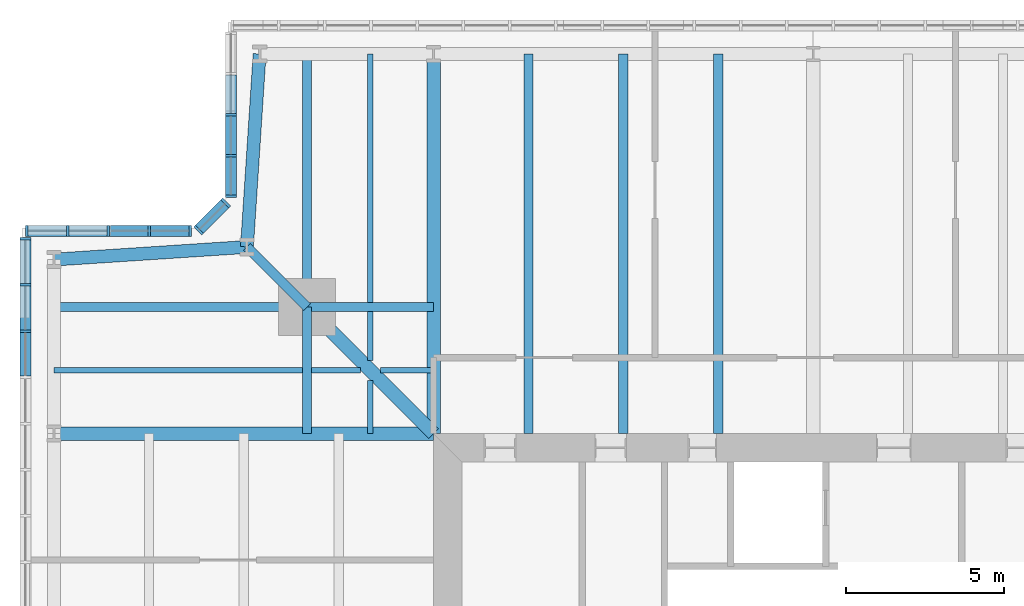
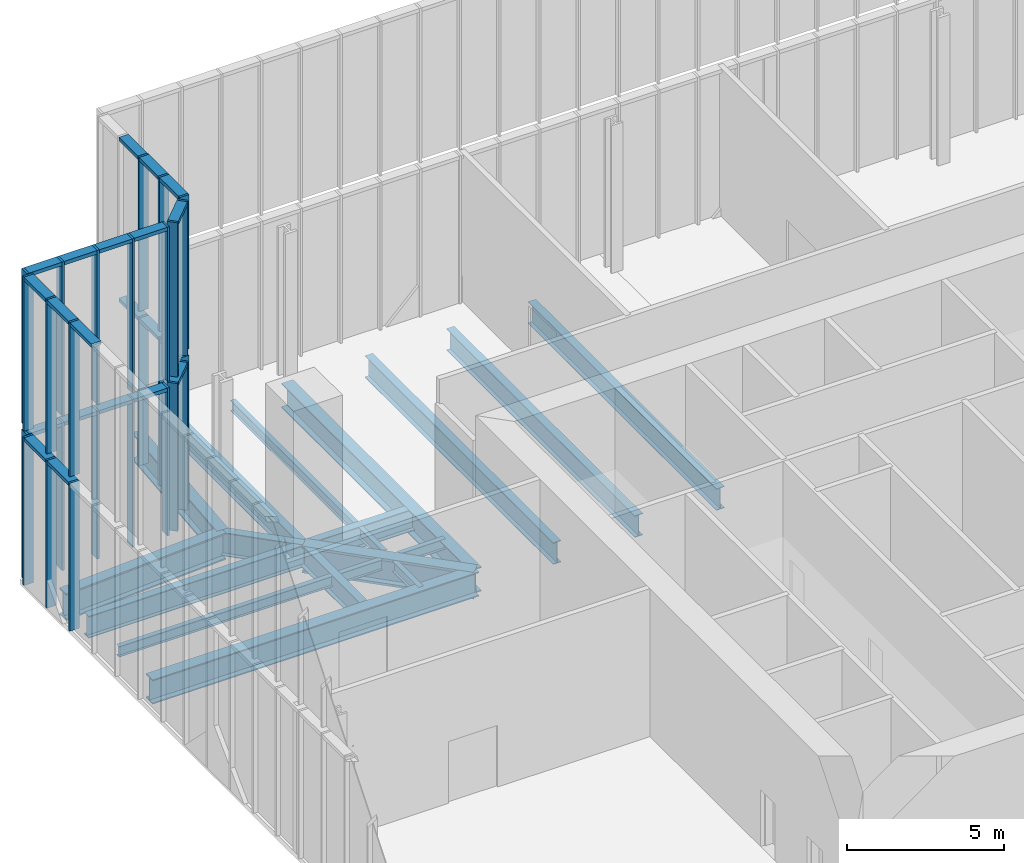
# One storey, part 8 of 25: 47 members, 19 beams, 8 elements without a shape of their own.
"""IFC4 building model written with IfcOpenShell, lengths in metres."""

import ifcopenshell
import ifcopenshell.guid

model = None  # the IFC model being written
_history = None  # IfcOwnerHistory: only IFC2X3 demands one
_inside = {}  # id of a spatial element -> (the spatial element, [elements in it])
_under = {}  # id of a project, library or spatial element -> (it, [spatial elements below it])
_declared = {}  # id of a project -> (the project, [libraries it declares])
_typed = {}  # id of a type object -> (the type object, [elements of that type])
_made_of = {}  # id of a material, layer set ... -> (it, [elements and type objects made of it])


def new_model(schema):
    """Start an empty IFC model of exactly this schema.

    Asked for "IFC4X3", IfcOpenShell would pick the latest addendum, in which some entities
    have other attributes; the version numbers below select the first issue.
    IFC2X3 requires an IfcOwnerHistory on every rooted entity: one is made here for all.
    """
    global model, _history
    if schema == "IFC4X3":
        model = ifcopenshell.file(schema_version=(4, 3, 0, 0))
    else:
        model = ifcopenshell.file(schema=schema)
    _inside.clear()
    _under.clear()
    _declared.clear()
    _typed.clear()
    _made_of.clear()
    _history = None
    if model.schema == "IFC2X3":
        org = make("IfcOrganization", Name="unknown")
        user = make(
            "IfcPersonAndOrganization",
            ThePerson=make("IfcPerson", FamilyName="unknown"),
            TheOrganization=org,
        )
        app = make(
            "IfcApplication",
            ApplicationDeveloper=org,
            Version="unknown",
            ApplicationFullName="unknown",
            ApplicationIdentifier="unknown",
        )
        _history = make(
            "IfcOwnerHistory",
            OwningUser=user,
            OwningApplication=app,
            ChangeAction="ADDED",
            CreationDate=0,
        )
    return model


def make(cls, **values):
    """One entity of the class cls with the attributes given. An attribute that is None is left unset."""
    return model.create_entity(
        cls, **{name: value for name, value in values.items() if value is not None}
    )


def rooted(cls, **values):
    """An entity with a GlobalId (a new one), such as an element, a storey or a relation."""
    return make(cls, GlobalId=ifcopenshell.guid.new(), OwnerHistory=_history, **values)


def si_unit(unit_type, name, prefix=None):
    """IfcSIUnit, for example si_unit("LENGTHUNIT", "METRE", prefix="MILLI")."""
    return make("IfcSIUnit", UnitType=unit_type, Prefix=prefix, Name=name)


def assignment(units):
    """IfcUnitAssignment: the units of a project."""
    return None if units is None else make("IfcUnitAssignment", Units=units)


def point(xyz):
    """IfcCartesianPoint."""
    return None if xyz is None else make("IfcCartesianPoint", Coordinates=xyz)


def direction(xyz):
    """IfcDirection."""
    return None if xyz is None else make("IfcDirection", DirectionRatios=xyz)


def frame(location, z_axis=None, x_axis=None):
    """IfcAxis2Placement3D, a coordinate frame: its origin and axes. An axis left out is left unset."""
    return make(
        "IfcAxis2Placement3D",
        Location=point(location),
        Axis=direction(z_axis),
        RefDirection=direction(x_axis),
    )


def frame_2d(location, x_axis=None):
    """IfcAxis2Placement2D, a coordinate frame in the plane: its origin and x axis."""
    return make(
        "IfcAxis2Placement2D", Location=point(location), RefDirection=direction(x_axis)
    )


def origin():
    """The frame at (0, 0, 0) with its axes left unset."""
    return frame((0.0, 0.0, 0.0))


def origin_2d():
    """The frame at (0, 0) in the plane with its x axis left unset."""
    return frame_2d((0.0, 0.0))


def place(relative_to, where):
    """IfcLocalPlacement: puts the frame where relative to a parent placement (None: the world)."""
    return make(
        "IfcLocalPlacement", PlacementRelTo=relative_to, RelativePlacement=where
    )


def context(
    kind, dimensions, precision=None, world=None, true_north=None, identifier=None
):
    """IfcGeometricRepresentationContext, for example the 3D "Model" context."""
    return make(
        "IfcGeometricRepresentationContext",
        ContextIdentifier=identifier,
        ContextType=kind,
        CoordinateSpaceDimension=dimensions,
        Precision=precision,
        WorldCoordinateSystem=world,
        TrueNorth=true_north,
    )


def subcontext(parent, identifier, kind, view, scale=None):
    """IfcGeometricRepresentationSubContext, for example "Body" below "Model"."""
    return make(
        "IfcGeometricRepresentationSubContext",
        ContextIdentifier=identifier,
        ContextType=kind,
        ParentContext=parent,
        TargetScale=scale,
        TargetView=view,
    )


def project(units=None, contexts=None):
    """IfcProject with its units and contexts."""
    return rooted(
        "IfcProject",
        Name="project",
        RepresentationContexts=contexts,
        UnitsInContext=assignment(units),
    )


def spatial(cls, under=None, at=None, **own):
    """A site, building, storey or space (cls), placed at a placement, below another one or the project."""
    s = rooted(cls, ObjectPlacement=at, **own)
    if under is not None:
        _under.setdefault(under.id(), (under, []))[1].append(s)
    return s


def profile(cls, at=None, kind="AREA", **sizes):
    """A parametric profile (cls). Its sizes go by their IFC names, for example OverallWidth=200.0."""
    return make(cls, ProfileType=kind, Position=at, **sizes)


def rectangle(**sizes):
    """IfcRectangleProfileDef."""
    return profile("IfcRectangleProfileDef", **sizes)


def i_section(**sizes):
    """IfcIShapeProfileDef."""
    return profile("IfcIShapeProfileDef", **sizes)


def extrude(swept, where, along, depth):
    """IfcExtrudedAreaSolid: the profile swept, set in the frame where, extruded along a direction by depth."""
    return make(
        "IfcExtrudedAreaSolid",
        SweptArea=swept,
        Position=where,
        ExtrudedDirection=direction(along),
        Depth=depth,
    )


def shape(context_of_items, identifier, shape_type, items):
    """IfcShapeRepresentation: the items that make up one representation, for example the "Body"."""
    return make(
        "IfcShapeRepresentation",
        ContextOfItems=context_of_items,
        RepresentationIdentifier=identifier,
        RepresentationType=shape_type,
        Items=items,
    )


def material(Name=None, Category=None):
    """IfcMaterial."""
    return make("IfcMaterial", Name=Name, Category=Category)


def material_profile(
    of_material, cross_section, Name=None, Category=None, Priority=None
):
    """IfcMaterialProfile: a cross section and its material."""
    return make(
        "IfcMaterialProfile",
        Name=Name,
        Material=of_material,
        Profile=cross_section,
        Priority=Priority,
        Category=Category,
    )


def profile_set(profiles, Name=None, composite=None):
    """IfcMaterialProfileSet."""
    return make(
        "IfcMaterialProfileSet",
        Name=Name,
        MaterialProfiles=profiles,
        CompositeProfile=composite,
    )


def made_of(thing, what):
    """Note that an element or type object is made of a material, layer set ...; save() writes the relation."""
    if what is not None:
        _made_of.setdefault(what.id(), (what, []))[1].append(thing)
    return thing


def type_object(cls, material=None, **own):
    """A type object (cls), such as IfcWallType, which elements share."""
    return made_of(rooted(cls, **own), material)


def element(
    cls,
    number,
    at=None,
    inside=None,
    cuts=None,
    type_object=None,
    material=None,
    context=None,
    identifier="Body",
    shape_type=None,
    held_by="IfcProductDefinitionShape",
    body=None,
    shapes=None,
    **own,
):
    """One element of the class cls, such as IfcWall. Its Tag is "e" and its number.

    at: its placement. inside: the storey or other place that contains it. cuts: it is an
    opening in that element (IfcRelVoidsElement). A single representation is given by context,
    identifier, shape_type and body (its items); several are given by shapes. held_by: the class
    of the entity that holds the representations. save() writes the other relations.
    """
    e = rooted(cls, Tag="e%d" % number, ObjectPlacement=at, **own)
    if body is not None:
        shapes = [shape(context, identifier, shape_type, body)]
    if shapes is not None:
        e.Representation = make(held_by, Representations=shapes)
    if inside is not None:
        _inside.setdefault(inside.id(), (inside, []))[1].append(e)
    if cuts is not None:
        rooted(
            "IfcRelVoidsElement", RelatingBuildingElement=cuts, RelatedOpeningElement=e
        )
    if type_object is not None:
        _typed.setdefault(type_object.id(), (type_object, []))[1].append(e)
    return made_of(e, material)


def aggregate(whole, parts):
    """IfcRelAggregates: a whole, such as a stair, and the parts it consists of."""
    return rooted("IfcRelAggregates", RelatingObject=whole, RelatedObjects=parts)


def save(model, path):
    """Write the relations noted so far, then the file.

    IfcRelAggregates (storeys below a building ...), IfcRelContainedInSpatialStructure (elements
    in a storey), IfcRelDefinesByType, IfcRelAssociatesMaterial and IfcRelDeclares: one each for
    every whole, place, type object, material and project.
    """
    for whole, parts in _under.values():
        aggregate(whole, parts)
    for where, things in _inside.values():
        rooted(
            "IfcRelContainedInSpatialStructure",
            RelatedElements=things,
            RelatingStructure=where,
        )
    for kind, things in _typed.values():
        rooted("IfcRelDefinesByType", RelatedObjects=things, RelatingType=kind)
    for what, things in _made_of.values():
        rooted("IfcRelAssociatesMaterial", RelatedObjects=things, RelatingMaterial=what)
    for by, libraries in _declared.values():
        rooted("IfcRelDeclares", RelatingContext=by, RelatedDefinitions=libraries)
    model.write(path)


model = new_model("IFC4")

# Units and contexts
model_context = context("Model", 3, precision=1e-05, world=origin(), true_north=direction((0.0, 1.0)))
body_context = subcontext(model_context, "Body", "Model", "MODEL_VIEW")
ifc_project = project(units=[si_unit("LENGTHUNIT", "METRE"), si_unit("AREAUNIT", "SQUARE_METRE"), si_unit("VOLUMEUNIT", "CUBIC_METRE"), si_unit("PLANEANGLEUNIT", "RADIAN"), si_unit("MASSUNIT", "GRAM", prefix="KILO")], contexts=[model_context])

# Site, building, storey
site_placement = place(None, origin())
site = spatial("IfcSite", under=ifc_project, at=site_placement, CompositionType="ELEMENT")
building_placement = place(site_placement, origin())
building = spatial("IfcBuilding", under=site, at=building_placement, Name="Fenwick Lantern Interchange", CompositionType="ELEMENT")
storey_placement = place(building_placement, frame((0.0, 0.0, 307.800048828125)))
storey = spatial("IfcBuildingStorey", under=building, at=storey_placement, Name="L74", CompositionType="ELEMENT", Elevation=307.800048828125)

# Beams
ifc_material_1 = material(Name="Steel ASTM A992 Grade 50", Category="steel")
ifc_material_profile_1 = material_profile(ifc_material_1, i_section(OverallWidth=0.408935546875, OverallDepth=1.04150390625, WebThickness=0.031005859375, FlangeThickness=0.055908203125, at=origin_2d()), Name="W40X397")
ifc_profile_set_1 = profile_set([ifc_material_profile_1], Name="Steel ASTM A992 Grade 50")
beam_type_1 = type_object("IfcBeamType", Name="EDGE BEAM W40X397", PredefinedType="SPANDREL", material=ifc_profile_set_1)
for number, where, z_axis, x_axis, name in (
    (1, (7.5, 49.0, -0.720703125), (-0.065416293237, -0.997858060337, 0.0), (0.997858060337, -0.065416293237, 0.0), "L74/FR/N/EBR1"),
    (2, (7.10009765625, 42.89990234375, -0.720703125), (-0.997858060337, -0.065416293237, 0.0), (0.065416293237, -0.997858060337, 0.0), "L74/FR/N/EBR2"),
):
    element("IfcBeam", number, at=place(storey_placement, frame(where, z_axis=z_axis, x_axis=x_axis)), inside=storey, type_object=beam_type_1, Name=name, PredefinedType="SPANDREL", context=body_context, shape_type="SweptSolid", body=[
        extrude(i_section(OverallWidth=0.408935546875, OverallDepth=1.04150390625, WebThickness=0.031005859375, FlangeThickness=0.055908203125, at=origin_2d()), origin(), (0.0, 0.0, 1.0), 6.11328125),
    ])
ifc_material_profile_2 = material_profile(ifc_material_1, i_section(OverallWidth=0.2919921875, OverallDepth=0.845703125, WebThickness=0.015380859375, FlangeThickness=0.0244140625, at=origin_2d()), Name="W33X141")
ifc_profile_set_2 = profile_set([ifc_material_profile_2], Name="Steel ASTM A992 Grade 50")
beam_type_2 = type_object("IfcBeamType", Name="FLOOR BEAM W33X141", PredefinedType="BEAM", material=ifc_profile_set_2)
for number, where, z_axis, x_axis, name in (
    (3, (22.0, 49.0, -0.623046875), (0.0, -1.0, 0.0), (1.0, 0.0, 0.0), "L74/FR/N/R06"),
    (4, (19.0, 49.0, -0.623046875), (0.0, -1.0, 0.0), (1.0, 0.0, 0.0), "L74/FR/N/R07"),
    (5, (16.0, 49.0, -0.623046875), (0.0, -1.0, 0.0), (1.0, 0.0, 0.0), "L74/FR/N/R08"),
):
    element("IfcBeam", number, at=place(storey_placement, frame(where, z_axis=z_axis, x_axis=x_axis)), inside=storey, type_object=beam_type_2, Name=name, PredefinedType="BEAM", context=body_context, shape_type="SweptSolid", body=[
        extrude(i_section(OverallWidth=0.2919921875, OverallDepth=0.845703125, WebThickness=0.015380859375, FlangeThickness=0.0244140625, at=origin_2d()), origin(), (0.0, 0.0, 1.0), 12.0),
    ])
ifc_material_profile_3 = material_profile(ifc_material_1, i_section(OverallWidth=0.177734375, OverallDepth=0.406494140625, WebThickness=0.0078125, FlangeThickness=0.012939453125, at=origin_2d()), Name="W16X40")
ifc_profile_set_3 = profile_set([ifc_material_profile_3], Name="Steel ASTM A992 Grade 50")
beam_type_3 = type_object("IfcBeamType", Name="INFILL BEAM W16X40", PredefinedType="JOIST", material=ifc_profile_set_3)
beam_1_placement = place(storey_placement, frame((1.0, 39.0, -0.4033203125), z_axis=(1.0, 0.0, 0.0), x_axis=(0.0, 1.0, 0.0)))
element("IfcBeam", 6, at=beam_1_placement, inside=storey, type_object=beam_type_3, Name="L74/FR/W/J1", PredefinedType="JOIST", context=body_context, shape_type="SweptSolid", body=[
    extrude(i_section(OverallWidth=0.177734375, OverallDepth=0.406494140625, WebThickness=0.0078125, FlangeThickness=0.012939453125, at=origin_2d()), origin(), (0.0, 0.0, 1.0), 7.85400390625),
])
beam_2_placement = place(storey_placement, frame((9.14599609375, 39.0, -0.4033203125), z_axis=(1.0, 0.0, 0.0), x_axis=(0.0, 1.0, 0.0)))
element("IfcBeam", 7, at=beam_2_placement, inside=storey, type_object=beam_type_3, Name="L74/FR/W/J2", PredefinedType="JOIST", context=body_context, shape_type="SweptSolid", body=[
    extrude(i_section(OverallWidth=0.177734375, OverallDepth=0.406494140625, WebThickness=0.0078125, FlangeThickness=0.012939453125, at=origin_2d()), origin(), (0.0, 0.0, 1.0), 1.537841796875),
])
beam_3_placement = place(storey_placement, frame((11.316162109375, 39.0, -0.4033203125), z_axis=(1.0, 0.0, 0.0), x_axis=(0.0, 1.0, 0.0)))
element("IfcBeam", 8, at=beam_3_placement, inside=storey, type_object=beam_type_3, Name="L74/FR/W/J6", PredefinedType="JOIST", context=body_context, shape_type="SweptSolid", body=[
    extrude(i_section(OverallWidth=0.177734375, OverallDepth=0.406494140625, WebThickness=0.0078125, FlangeThickness=0.012939453125, at=origin_2d()), origin(), (0.0, 0.0, 1.0), 1.683837890625),
])
beam_4_placement = place(storey_placement, frame((11.0, 49.0, -0.4033203125), z_axis=(0.0, -1.0, 0.0), x_axis=(1.0, 0.0, 0.0)))
element("IfcBeam", 9, at=beam_4_placement, inside=storey, type_object=beam_type_3, Name="L74/FR/W/J3", PredefinedType="JOIST", context=body_context, shape_type="SweptSolid", body=[
    extrude(i_section(OverallWidth=0.177734375, OverallDepth=0.406494140625, WebThickness=0.0078125, FlangeThickness=0.012939453125, at=origin_2d()), origin(), (0.0, 0.0, 1.0), 7.85400390625),
])
beam_5_placement = place(storey_placement, frame((11.0, 40.85400390625, -0.4033203125), z_axis=(0.0, -1.0, 0.0), x_axis=(1.0, 0.0, 0.0)))
element("IfcBeam", 10, at=beam_5_placement, inside=storey, type_object=beam_type_3, Name="L74/FR/W/J4", PredefinedType="JOIST", context=body_context, shape_type="SweptSolid", body=[
    extrude(i_section(OverallWidth=0.177734375, OverallDepth=0.406494140625, WebThickness=0.0078125, FlangeThickness=0.012939453125, at=origin_2d()), origin(), (0.0, 0.0, 1.0), 1.537841796875),
])
beam_6_placement = place(storey_placement, frame((11.0, 38.683837890625, -0.4033203125), z_axis=(0.0, -1.0, 0.0), x_axis=(1.0, 0.0, 0.0)))
element("IfcBeam", 11, at=beam_6_placement, inside=storey, type_object=beam_type_3, Name="L74/FR/W/J5", PredefinedType="JOIST", context=body_context, shape_type="SweptSolid", body=[
    extrude(i_section(OverallWidth=0.177734375, OverallDepth=0.406494140625, WebThickness=0.0078125, FlangeThickness=0.012939453125, at=origin_2d()), origin(), (0.0, 0.0, 1.0), 1.683837890625),
])

# Curtain wall, members
ifc_material_2 = material(Name="Aluminium curtain wall frame", Category="aluminium")
curtain_wall_type = type_object("IfcCurtainWallType", Name="LANTERN GLAZING", PredefinedType="USERDEFINED", material=ifc_material_2)
curtain_wall_1_placement = place(storey_placement, origin())
curtain_wall_1 = element("IfcCurtainWall", 12, at=curtain_wall_1_placement, inside=storey, type_object=curtain_wall_type, Name="Lantern glazing 10", ObjectType="LANTERN GLAZING", PredefinedType="USERDEFINED")
ifc_material_3 = material(Name="Aluminium extrusion", Category="aluminium")
ifc_material_profile_4 = material_profile(ifc_material_3, rectangle(XDim=0.35009765625, YDim=0.080078125, at=origin_2d()), Name="LANTERN GLAZING MULLION 80 X 350")
ifc_profile_set_4 = profile_set([ifc_material_profile_4], Name="Aluminium extrusion")
member_type_1 = type_object("IfcMemberType", Name="LANTERN GLAZING MULLION 80 X 350", PredefinedType="MULLION", material=ifc_profile_set_4)
member_1_placement = place(storey_placement, frame((6.60009765625, 47.079345703125, 0.0), z_axis=(0.0, 0.0, 1.0), x_axis=(1.0, 0.0, 0.0)))
member_1 = element("IfcMember", 13, at=member_1_placement, type_object=member_type_1, Name="L74/CW/10/M02", PredefinedType="MULLION", context=body_context, shape_type="SweptSolid", body=[
    extrude(rectangle(XDim=0.35009765625, YDim=0.080078125, at=origin_2d()), origin(), (0.0, 0.0, 1.0), 5.75),
])
member_2_placement = place(storey_placement, frame((6.60009765625, 45.788818359375, 0.0), z_axis=(0.0, 0.0, 1.0), x_axis=(1.0, 0.0, 0.0)))
member_2 = element("IfcMember", 14, at=member_2_placement, type_object=member_type_1, Name="L74/CW/10/M03", PredefinedType="MULLION", context=body_context, shape_type="SweptSolid", body=[
    extrude(rectangle(XDim=0.35009765625, YDim=0.080078125, at=origin_2d()), origin(), (0.0, 0.0, 1.0), 5.75),
])
member_3_placement = place(storey_placement, frame((6.60009765625, 44.49853515625, 0.0), z_axis=(0.0, 0.0, 1.0), x_axis=(1.0, 0.0, 0.0)))
member_3 = element("IfcMember", 15, at=member_3_placement, type_object=member_type_1, Name="L74/CW/10/M04", PredefinedType="MULLION", context=body_context, shape_type="SweptSolid", body=[
    extrude(rectangle(XDim=0.35009765625, YDim=0.080078125, at=origin_2d()), origin(), (0.0, 0.0, 1.0), 5.75),
])

curtain_wall_2_placement = place(storey_placement, origin())
curtain_wall_2 = element("IfcCurtainWall", 16, at=curtain_wall_2_placement, inside=storey, type_object=curtain_wall_type, Name="Lantern glazing 11", ObjectType="LANTERN GLAZING", PredefinedType="USERDEFINED")
member_4_placement = place(storey_placement, frame((6.43017578125, 44.288818359375, 0.0), z_axis=(0.0, 0.0, 1.0), x_axis=(0.707106781187, -0.707106781187, 0.0)))
member_4 = element("IfcMember", 17, at=member_4_placement, type_object=member_type_1, Name="L74/CW/11/M00", PredefinedType="MULLION", context=body_context, shape_type="SweptSolid", body=[
    extrude(rectangle(XDim=0.35009765625, YDim=0.080078125, at=origin_2d()), origin(), (0.0, 0.0, 1.0), 5.75),
])
member_5_placement = place(storey_placement, frame((5.56982421875, 43.42822265625, 0.0), z_axis=(0.0, 0.0, 1.0), x_axis=(0.707106781187, -0.707106781187, 0.0)))
member_5 = element("IfcMember", 18, at=member_5_placement, type_object=member_type_1, Name="L74/CW/11/M01", PredefinedType="MULLION", context=body_context, shape_type="SweptSolid", body=[
    extrude(rectangle(XDim=0.35009765625, YDim=0.080078125, at=origin_2d()), origin(), (0.0, 0.0, 1.0), 5.75),
])

curtain_wall_3_placement = place(storey_placement, origin())
curtain_wall_3 = element("IfcCurtainWall", 19, at=curtain_wall_3_placement, inside=storey, type_object=curtain_wall_type, Name="Lantern glazing 12", ObjectType="LANTERN GLAZING", PredefinedType="USERDEFINED")
member_6_placement = place(storey_placement, frame((5.301513671875, 43.39990234375, 0.0), z_axis=(0.0, 0.0, 1.0), x_axis=(0.0, -1.0, 0.0)))
member_6 = element("IfcMember", 20, at=member_6_placement, type_object=member_type_1, Name="L74/CW/12/M00", PredefinedType="MULLION", context=body_context, shape_type="SweptSolid", body=[
    extrude(rectangle(XDim=0.35009765625, YDim=0.080078125, at=origin_2d()), origin(), (0.0, 0.0, 1.0), 5.75),
])
member_7_placement = place(storey_placement, frame((4.010986328125, 43.39990234375, 0.0), z_axis=(0.0, 0.0, 1.0), x_axis=(0.0, -1.0, 0.0)))
member_7 = element("IfcMember", 21, at=member_7_placement, type_object=member_type_1, Name="L74/CW/12/M01", PredefinedType="MULLION", context=body_context, shape_type="SweptSolid", body=[
    extrude(rectangle(XDim=0.35009765625, YDim=0.080078125, at=origin_2d()), origin(), (0.0, 0.0, 1.0), 5.75),
])
member_8_placement = place(storey_placement, frame((2.720703125, 43.39990234375, 0.0), z_axis=(0.0, 0.0, 1.0), x_axis=(0.0, -1.0, 0.0)))
member_8 = element("IfcMember", 22, at=member_8_placement, type_object=member_type_1, Name="L74/CW/12/M02", PredefinedType="MULLION", context=body_context, shape_type="SweptSolid", body=[
    extrude(rectangle(XDim=0.35009765625, YDim=0.080078125, at=origin_2d()), origin(), (0.0, 0.0, 1.0), 5.75),
])
member_9_placement = place(storey_placement, frame((1.430419921875, 43.39990234375, 0.0), z_axis=(0.0, 0.0, 1.0), x_axis=(0.0, -1.0, 0.0)))
member_9 = element("IfcMember", 23, at=member_9_placement, type_object=member_type_1, Name="L74/CW/12/M03", PredefinedType="MULLION", context=body_context, shape_type="SweptSolid", body=[
    extrude(rectangle(XDim=0.35009765625, YDim=0.080078125, at=origin_2d()), origin(), (0.0, 0.0, 1.0), 5.75),
])
member_10_placement = place(storey_placement, frame((0.139892578125, 43.39990234375, 0.0), z_axis=(0.0, 0.0, 1.0), x_axis=(0.0, -1.0, 0.0)))
member_10 = element("IfcMember", 24, at=member_10_placement, type_object=member_type_1, Name="L74/CW/12/M04", PredefinedType="MULLION", context=body_context, shape_type="SweptSolid", body=[
    extrude(rectangle(XDim=0.35009765625, YDim=0.080078125, at=origin_2d()), origin(), (0.0, 0.0, 1.0), 5.75),
])

curtain_wall_4_placement = place(storey_placement, origin())
curtain_wall_4 = element("IfcCurtainWall", 25, at=curtain_wall_4_placement, inside=storey, type_object=curtain_wall_type, Name="Lantern glazing 13", ObjectType="LANTERN GLAZING", PredefinedType="USERDEFINED")
member_11_placement = place(storey_placement, frame((0.10009765625, 43.159912109375, 0.0), z_axis=(0.0, 0.0, 1.0), x_axis=(1.0, 0.0, 0.0)))
member_11 = element("IfcMember", 26, at=member_11_placement, type_object=member_type_1, Name="L74/CW/13/M00", PredefinedType="MULLION", context=body_context, shape_type="SweptSolid", body=[
    extrude(rectangle(XDim=0.35009765625, YDim=0.080078125, at=origin_2d()), origin(), (0.0, 0.0, 1.0), 5.75),
])
member_12_placement = place(storey_placement, frame((0.10009765625, 41.69921875, 0.0), z_axis=(0.0, 0.0, 1.0), x_axis=(1.0, 0.0, 0.0)))
member_12 = element("IfcMember", 27, at=member_12_placement, type_object=member_type_1, Name="L74/CW/13/M01", PredefinedType="MULLION", context=body_context, shape_type="SweptSolid", body=[
    extrude(rectangle(XDim=0.35009765625, YDim=0.080078125, at=origin_2d()), origin(), (0.0, 0.0, 1.0), 5.75),
])
member_13_placement = place(storey_placement, frame((0.10009765625, 40.23828125, 0.0), z_axis=(0.0, 0.0, 1.0), x_axis=(1.0, 0.0, 0.0)))
member_13 = element("IfcMember", 28, at=member_13_placement, type_object=member_type_1, Name="L74/CW/13/M02", PredefinedType="MULLION", context=body_context, shape_type="SweptSolid", body=[
    extrude(rectangle(XDim=0.35009765625, YDim=0.080078125, at=origin_2d()), origin(), (0.0, 0.0, 1.0), 5.75),
])

curtain_wall_5_placement = place(storey_placement, origin())
curtain_wall_5 = element("IfcCurtainWall", 29, at=curtain_wall_5_placement, inside=storey, type_object=curtain_wall_type, Name="Lantern glazing 10", ObjectType="LANTERN GLAZING", PredefinedType="USERDEFINED")
member_14_placement = place(storey_placement, frame((6.60009765625, 47.079345703125, 6.0), z_axis=(0.0, 0.0, 1.0), x_axis=(1.0, 0.0, 0.0)))
member_14 = element("IfcMember", 30, at=member_14_placement, type_object=member_type_1, Name="RF/LANTERN/10/M02", PredefinedType="MULLION", context=body_context, shape_type="SweptSolid", body=[
    extrude(rectangle(XDim=0.35009765625, YDim=0.080078125, at=origin_2d()), origin(), (0.0, 0.0, 1.0), 6.0),
])
member_15_placement = place(storey_placement, frame((6.60009765625, 45.788818359375, 6.0), z_axis=(0.0, 0.0, 1.0), x_axis=(1.0, 0.0, 0.0)))
member_15 = element("IfcMember", 31, at=member_15_placement, type_object=member_type_1, Name="RF/LANTERN/10/M03", PredefinedType="MULLION", context=body_context, shape_type="SweptSolid", body=[
    extrude(rectangle(XDim=0.35009765625, YDim=0.080078125, at=origin_2d()), origin(), (0.0, 0.0, 1.0), 6.0),
])
member_16_placement = place(storey_placement, frame((6.60009765625, 44.49853515625, 6.0), z_axis=(0.0, 0.0, 1.0), x_axis=(1.0, 0.0, 0.0)))
member_16 = element("IfcMember", 32, at=member_16_placement, type_object=member_type_1, Name="RF/LANTERN/10/M04", PredefinedType="MULLION", context=body_context, shape_type="SweptSolid", body=[
    extrude(rectangle(XDim=0.35009765625, YDim=0.080078125, at=origin_2d()), origin(), (0.0, 0.0, 1.0), 6.0),
])

curtain_wall_6_placement = place(storey_placement, origin())
curtain_wall_6 = element("IfcCurtainWall", 33, at=curtain_wall_6_placement, inside=storey, type_object=curtain_wall_type, Name="Lantern glazing 11", ObjectType="LANTERN GLAZING", PredefinedType="USERDEFINED")
member_17_placement = place(storey_placement, frame((6.43017578125, 44.288818359375, 6.0), z_axis=(0.0, 0.0, 1.0), x_axis=(0.707106781187, -0.707106781187, 0.0)))
member_17 = element("IfcMember", 34, at=member_17_placement, type_object=member_type_1, Name="RF/LANTERN/11/M00", PredefinedType="MULLION", context=body_context, shape_type="SweptSolid", body=[
    extrude(rectangle(XDim=0.35009765625, YDim=0.080078125, at=origin_2d()), origin(), (0.0, 0.0, 1.0), 6.0),
])
member_18_placement = place(storey_placement, frame((5.56982421875, 43.42822265625, 6.0), z_axis=(0.0, 0.0, 1.0), x_axis=(0.707106781187, -0.707106781187, 0.0)))
member_18 = element("IfcMember", 35, at=member_18_placement, type_object=member_type_1, Name="RF/LANTERN/11/M01", PredefinedType="MULLION", context=body_context, shape_type="SweptSolid", body=[
    extrude(rectangle(XDim=0.35009765625, YDim=0.080078125, at=origin_2d()), origin(), (0.0, 0.0, 1.0), 6.0),
])

curtain_wall_7_placement = place(storey_placement, origin())
curtain_wall_7 = element("IfcCurtainWall", 36, at=curtain_wall_7_placement, inside=storey, type_object=curtain_wall_type, Name="Lantern glazing 12", ObjectType="LANTERN GLAZING", PredefinedType="USERDEFINED")
member_19_placement = place(storey_placement, frame((5.301513671875, 43.39990234375, 6.0), z_axis=(0.0, 0.0, 1.0), x_axis=(0.0, -1.0, 0.0)))
member_19 = element("IfcMember", 37, at=member_19_placement, type_object=member_type_1, Name="RF/LANTERN/12/M00", PredefinedType="MULLION", context=body_context, shape_type="SweptSolid", body=[
    extrude(rectangle(XDim=0.35009765625, YDim=0.080078125, at=origin_2d()), origin(), (0.0, 0.0, 1.0), 6.0),
])
member_20_placement = place(storey_placement, frame((4.010986328125, 43.39990234375, 6.0), z_axis=(0.0, 0.0, 1.0), x_axis=(0.0, -1.0, 0.0)))
member_20 = element("IfcMember", 38, at=member_20_placement, type_object=member_type_1, Name="RF/LANTERN/12/M01", PredefinedType="MULLION", context=body_context, shape_type="SweptSolid", body=[
    extrude(rectangle(XDim=0.35009765625, YDim=0.080078125, at=origin_2d()), origin(), (0.0, 0.0, 1.0), 6.0),
])
member_21_placement = place(storey_placement, frame((2.720703125, 43.39990234375, 6.0), z_axis=(0.0, 0.0, 1.0), x_axis=(0.0, -1.0, 0.0)))
member_21 = element("IfcMember", 39, at=member_21_placement, type_object=member_type_1, Name="RF/LANTERN/12/M02", PredefinedType="MULLION", context=body_context, shape_type="SweptSolid", body=[
    extrude(rectangle(XDim=0.35009765625, YDim=0.080078125, at=origin_2d()), origin(), (0.0, 0.0, 1.0), 6.0),
])
member_22_placement = place(storey_placement, frame((1.430419921875, 43.39990234375, 6.0), z_axis=(0.0, 0.0, 1.0), x_axis=(0.0, -1.0, 0.0)))
member_22 = element("IfcMember", 40, at=member_22_placement, type_object=member_type_1, Name="RF/LANTERN/12/M03", PredefinedType="MULLION", context=body_context, shape_type="SweptSolid", body=[
    extrude(rectangle(XDim=0.35009765625, YDim=0.080078125, at=origin_2d()), origin(), (0.0, 0.0, 1.0), 6.0),
])
member_23_placement = place(storey_placement, frame((0.139892578125, 43.39990234375, 6.0), z_axis=(0.0, 0.0, 1.0), x_axis=(0.0, -1.0, 0.0)))
member_23 = element("IfcMember", 41, at=member_23_placement, type_object=member_type_1, Name="RF/LANTERN/12/M04", PredefinedType="MULLION", context=body_context, shape_type="SweptSolid", body=[
    extrude(rectangle(XDim=0.35009765625, YDim=0.080078125, at=origin_2d()), origin(), (0.0, 0.0, 1.0), 6.0),
])

curtain_wall_8_placement = place(storey_placement, origin())
curtain_wall_8 = element("IfcCurtainWall", 42, at=curtain_wall_8_placement, inside=storey, type_object=curtain_wall_type, Name="Lantern glazing 13", ObjectType="LANTERN GLAZING", PredefinedType="USERDEFINED")
member_24_placement = place(storey_placement, frame((0.10009765625, 43.159912109375, 6.0), z_axis=(0.0, 0.0, 1.0), x_axis=(1.0, 0.0, 0.0)))
member_24 = element("IfcMember", 43, at=member_24_placement, type_object=member_type_1, Name="RF/LANTERN/13/M00", PredefinedType="MULLION", context=body_context, shape_type="SweptSolid", body=[
    extrude(rectangle(XDim=0.35009765625, YDim=0.080078125, at=origin_2d()), origin(), (0.0, 0.0, 1.0), 6.0),
])
member_25_placement = place(storey_placement, frame((0.10009765625, 41.69921875, 6.0), z_axis=(0.0, 0.0, 1.0), x_axis=(1.0, 0.0, 0.0)))
member_25 = element("IfcMember", 44, at=member_25_placement, type_object=member_type_1, Name="RF/LANTERN/13/M01", PredefinedType="MULLION", context=body_context, shape_type="SweptSolid", body=[
    extrude(rectangle(XDim=0.35009765625, YDim=0.080078125, at=origin_2d()), origin(), (0.0, 0.0, 1.0), 6.0),
])
member_26_placement = place(storey_placement, frame((0.10009765625, 40.23828125, 6.0), z_axis=(0.0, 0.0, 1.0), x_axis=(1.0, 0.0, 0.0)))
member_26 = element("IfcMember", 45, at=member_26_placement, type_object=member_type_1, Name="RF/LANTERN/13/M02", PredefinedType="MULLION", context=body_context, shape_type="SweptSolid", body=[
    extrude(rectangle(XDim=0.35009765625, YDim=0.080078125, at=origin_2d()), origin(), (0.0, 0.0, 1.0), 6.0),
])

# Member
ifc_material_profile_5 = material_profile(ifc_material_3, rectangle(XDim=0.35009765625, YDim=0.139892578125, at=origin_2d()), Name="LANTERN GLAZING TRANSOM 140 X 350")
ifc_profile_set_5 = profile_set([ifc_material_profile_5], Name="Aluminium extrusion")
member_type_2 = type_object("IfcMemberType", Name="LANTERN GLAZING TRANSOM 140 X 350", PredefinedType="MULLION", material=ifc_profile_set_5)
member_27_placement = place(storey_placement, frame((6.60009765625, 48.32958984375, 5.679931640625), z_axis=(0.0, -1.0, 0.0), x_axis=(1.0, 0.0, 0.0)))
member_27 = element("IfcMember", 46, at=member_27_placement, type_object=member_type_2, Name="L74/CW/10/T01", PredefinedType="MULLION", context=body_context, shape_type="SweptSolid", body=[
    extrude(rectangle(XDim=0.35009765625, YDim=0.139892578125, at=origin_2d()), origin(), (0.0, 0.0, 1.0), 1.210205078125),
])

member_28_placement = place(storey_placement, frame((6.60009765625, 47.039306640625, 5.679931640625), z_axis=(0.0, -1.0, 0.0), x_axis=(1.0, 0.0, 0.0)))
member_28 = element("IfcMember", 47, at=member_28_placement, type_object=member_type_2, Name="L74/CW/10/T02", PredefinedType="MULLION", context=body_context, shape_type="SweptSolid", body=[
    extrude(rectangle(XDim=0.35009765625, YDim=0.139892578125, at=origin_2d()), origin(), (0.0, 0.0, 1.0), 1.21044921875),
])

member_29_placement = place(storey_placement, frame((6.60009765625, 45.7490234375, 5.679931640625), z_axis=(0.0, -1.0, 0.0), x_axis=(1.0, 0.0, 0.0)))
member_29 = element("IfcMember", 48, at=member_29_placement, type_object=member_type_2, Name="L74/CW/10/T03", PredefinedType="MULLION", context=body_context, shape_type="SweptSolid", body=[
    extrude(rectangle(XDim=0.35009765625, YDim=0.139892578125, at=origin_2d()), origin(), (0.0, 0.0, 1.0), 1.21044921875),
])

aggregate(curtain_wall_1, [member_1, member_2, member_3, member_27, member_28, member_29])

member_30_placement = place(storey_placement, frame((6.402099609375, 44.260498046875, 5.679931640625), z_axis=(-0.707214121873, -0.706999424203, 0.0), x_axis=(0.706999424203, -0.707214121873, 0.0)))
member_30 = element("IfcMember", 49, at=member_30_placement, type_object=member_type_2, Name="L74/CW/11/T00", PredefinedType="MULLION", context=body_context, shape_type="SweptSolid", body=[
    extrude(rectangle(XDim=0.35009765625, YDim=0.139892578125, at=origin_2d()), origin(), (0.0, 0.0, 1.0), 1.13720703125),
])

aggregate(curtain_wall_2, [member_4, member_5, member_30])

member_31_placement = place(storey_placement, frame((5.261474609375, 43.39990234375, 5.679931640625), z_axis=(-1.0, 0.0, 0.0), x_axis=(0.0, -1.0, 0.0)))
member_31 = element("IfcMember", 50, at=member_31_placement, type_object=member_type_2, Name="L74/CW/12/T00", PredefinedType="MULLION", context=body_context, shape_type="SweptSolid", body=[
    extrude(rectangle(XDim=0.35009765625, YDim=0.139892578125, at=origin_2d()), origin(), (0.0, 0.0, 1.0), 1.21044921875),
])

member_32_placement = place(storey_placement, frame((3.970947265625, 43.39990234375, 5.679931640625), z_axis=(-1.0, 0.0, 0.0), x_axis=(0.0, -1.0, 0.0)))
member_32 = element("IfcMember", 51, at=member_32_placement, type_object=member_type_2, Name="L74/CW/12/T01", PredefinedType="MULLION", context=body_context, shape_type="SweptSolid", body=[
    extrude(rectangle(XDim=0.35009765625, YDim=0.139892578125, at=origin_2d()), origin(), (0.0, 0.0, 1.0), 1.210205078125),
])

member_33_placement = place(storey_placement, frame((2.6806640625, 43.39990234375, 5.679931640625), z_axis=(-1.0, 0.0, 0.0), x_axis=(0.0, -1.0, 0.0)))
member_33 = element("IfcMember", 52, at=member_33_placement, type_object=member_type_2, Name="L74/CW/12/T02", PredefinedType="MULLION", context=body_context, shape_type="SweptSolid", body=[
    extrude(rectangle(XDim=0.35009765625, YDim=0.139892578125, at=origin_2d()), origin(), (0.0, 0.0, 1.0), 1.210205078125),
])

member_34_placement = place(storey_placement, frame((1.390380859375, 43.39990234375, 5.679931640625), z_axis=(-1.0, 0.0, 0.0), x_axis=(0.0, -1.0, 0.0)))
member_34 = element("IfcMember", 53, at=member_34_placement, type_object=member_type_2, Name="L74/CW/12/T03", PredefinedType="MULLION", context=body_context, shape_type="SweptSolid", body=[
    extrude(rectangle(XDim=0.35009765625, YDim=0.139892578125, at=origin_2d()), origin(), (0.0, 0.0, 1.0), 1.21044921875),
])

aggregate(curtain_wall_3, [member_6, member_7, member_8, member_9, member_10, member_31, member_32, member_33, member_34])

member_35_placement = place(storey_placement, frame((0.10009765625, 43.1201171875, 5.679931640625), z_axis=(0.0, -1.0, 0.0), x_axis=(1.0, 0.0, 0.0)))
member_35 = element("IfcMember", 54, at=member_35_placement, type_object=member_type_2, Name="L74/CW/13/T00", PredefinedType="MULLION", context=body_context, shape_type="SweptSolid", body=[
    extrude(rectangle(XDim=0.35009765625, YDim=0.139892578125, at=origin_2d()), origin(), (0.0, 0.0, 1.0), 1.380859375),
])

member_36_placement = place(storey_placement, frame((0.10009765625, 41.6591796875, 5.679931640625), z_axis=(0.0, -1.0, 0.0), x_axis=(1.0, 0.0, 0.0)))
member_36 = element("IfcMember", 55, at=member_36_placement, type_object=member_type_2, Name="L74/CW/13/T01", PredefinedType="MULLION", context=body_context, shape_type="SweptSolid", body=[
    extrude(rectangle(XDim=0.35009765625, YDim=0.139892578125, at=origin_2d()), origin(), (0.0, 0.0, 1.0), 1.380859375),
])

aggregate(curtain_wall_4, [member_11, member_12, member_13, member_35, member_36])

member_37_placement = place(storey_placement, frame((6.60009765625, 48.32958984375, 11.929931640625), z_axis=(0.0, -1.0, 0.0), x_axis=(1.0, 0.0, 0.0)))
member_37 = element("IfcMember", 56, at=member_37_placement, type_object=member_type_2, Name="RF/LANTERN/10/T01", PredefinedType="MULLION", context=body_context, shape_type="SweptSolid", body=[
    extrude(rectangle(XDim=0.35009765625, YDim=0.139892578125, at=origin_2d()), origin(), (0.0, 0.0, 1.0), 1.210205078125),
])

member_38_placement = place(storey_placement, frame((6.60009765625, 47.039306640625, 11.929931640625), z_axis=(0.0, -1.0, 0.0), x_axis=(1.0, 0.0, 0.0)))
member_38 = element("IfcMember", 57, at=member_38_placement, type_object=member_type_2, Name="RF/LANTERN/10/T02", PredefinedType="MULLION", context=body_context, shape_type="SweptSolid", body=[
    extrude(rectangle(XDim=0.35009765625, YDim=0.139892578125, at=origin_2d()), origin(), (0.0, 0.0, 1.0), 1.21044921875),
])

member_39_placement = place(storey_placement, frame((6.60009765625, 45.7490234375, 11.929931640625), z_axis=(0.0, -1.0, 0.0), x_axis=(1.0, 0.0, 0.0)))
member_39 = element("IfcMember", 58, at=member_39_placement, type_object=member_type_2, Name="RF/LANTERN/10/T03", PredefinedType="MULLION", context=body_context, shape_type="SweptSolid", body=[
    extrude(rectangle(XDim=0.35009765625, YDim=0.139892578125, at=origin_2d()), origin(), (0.0, 0.0, 1.0), 1.21044921875),
])

aggregate(curtain_wall_5, [member_14, member_15, member_16, member_37, member_38, member_39])

member_40_placement = place(storey_placement, frame((6.402099609375, 44.260498046875, 11.929931640625), z_axis=(-0.707214121873, -0.706999424203, 0.0), x_axis=(0.706999424203, -0.707214121873, 0.0)))
member_40 = element("IfcMember", 59, at=member_40_placement, type_object=member_type_2, Name="RF/LANTERN/11/T00", PredefinedType="MULLION", context=body_context, shape_type="SweptSolid", body=[
    extrude(rectangle(XDim=0.35009765625, YDim=0.139892578125, at=origin_2d()), origin(), (0.0, 0.0, 1.0), 1.13720703125),
])

aggregate(curtain_wall_6, [member_17, member_18, member_40])

member_41_placement = place(storey_placement, frame((5.261474609375, 43.39990234375, 11.929931640625), z_axis=(-1.0, 0.0, 0.0), x_axis=(0.0, -1.0, 0.0)))
member_41 = element("IfcMember", 60, at=member_41_placement, type_object=member_type_2, Name="RF/LANTERN/12/T00", PredefinedType="MULLION", context=body_context, shape_type="SweptSolid", body=[
    extrude(rectangle(XDim=0.35009765625, YDim=0.139892578125, at=origin_2d()), origin(), (0.0, 0.0, 1.0), 1.21044921875),
])

member_42_placement = place(storey_placement, frame((3.970947265625, 43.39990234375, 11.929931640625), z_axis=(-1.0, 0.0, 0.0), x_axis=(0.0, -1.0, 0.0)))
member_42 = element("IfcMember", 61, at=member_42_placement, type_object=member_type_2, Name="RF/LANTERN/12/T01", PredefinedType="MULLION", context=body_context, shape_type="SweptSolid", body=[
    extrude(rectangle(XDim=0.35009765625, YDim=0.139892578125, at=origin_2d()), origin(), (0.0, 0.0, 1.0), 1.210205078125),
])

member_43_placement = place(storey_placement, frame((2.6806640625, 43.39990234375, 11.929931640625), z_axis=(-1.0, 0.0, 0.0), x_axis=(0.0, -1.0, 0.0)))
member_43 = element("IfcMember", 62, at=member_43_placement, type_object=member_type_2, Name="RF/LANTERN/12/T02", PredefinedType="MULLION", context=body_context, shape_type="SweptSolid", body=[
    extrude(rectangle(XDim=0.35009765625, YDim=0.139892578125, at=origin_2d()), origin(), (0.0, 0.0, 1.0), 1.210205078125),
])

member_44_placement = place(storey_placement, frame((1.390380859375, 43.39990234375, 11.929931640625), z_axis=(-1.0, 0.0, 0.0), x_axis=(0.0, -1.0, 0.0)))
member_44 = element("IfcMember", 63, at=member_44_placement, type_object=member_type_2, Name="RF/LANTERN/12/T03", PredefinedType="MULLION", context=body_context, shape_type="SweptSolid", body=[
    extrude(rectangle(XDim=0.35009765625, YDim=0.139892578125, at=origin_2d()), origin(), (0.0, 0.0, 1.0), 1.21044921875),
])

aggregate(curtain_wall_7, [member_19, member_20, member_21, member_22, member_23, member_41, member_42, member_43, member_44])

member_45_placement = place(storey_placement, frame((0.10009765625, 43.1201171875, 11.929931640625), z_axis=(0.0, -1.0, 0.0), x_axis=(1.0, 0.0, 0.0)))
member_45 = element("IfcMember", 64, at=member_45_placement, type_object=member_type_2, Name="RF/LANTERN/13/T00", PredefinedType="MULLION", context=body_context, shape_type="SweptSolid", body=[
    extrude(rectangle(XDim=0.35009765625, YDim=0.139892578125, at=origin_2d()), origin(), (0.0, 0.0, 1.0), 1.380859375),
])

member_46_placement = place(storey_placement, frame((0.10009765625, 41.6591796875, 11.929931640625), z_axis=(0.0, -1.0, 0.0), x_axis=(1.0, 0.0, 0.0)))
member_46 = element("IfcMember", 65, at=member_46_placement, type_object=member_type_2, Name="RF/LANTERN/13/T01", PredefinedType="MULLION", context=body_context, shape_type="SweptSolid", body=[
    extrude(rectangle(XDim=0.35009765625, YDim=0.139892578125, at=origin_2d()), origin(), (0.0, 0.0, 1.0), 1.380859375),
])

member_47_placement = place(storey_placement, frame((0.10009765625, 40.198486328125, 11.929931640625), z_axis=(0.0, -1.0, 0.0), x_axis=(1.0, 0.0, 0.0)))
member_47 = element("IfcMember", 66, at=member_47_placement, type_object=member_type_2, Name="RF/LANTERN/13/T02", PredefinedType="MULLION", context=body_context, shape_type="SweptSolid", body=[
    extrude(rectangle(XDim=0.35009765625, YDim=0.139892578125, at=origin_2d()), origin(), (0.0, 0.0, 1.0), 1.380859375),
])

aggregate(curtain_wall_8, [member_24, member_25, member_26, member_45, member_46, member_47])

# Beams
ifc_material_profile_6 = material_profile(ifc_material_1, i_section(OverallWidth=0.2919921875, OverallDepth=0.845703125, WebThickness=0.015380859375, FlangeThickness=0.0244140625, at=origin_2d()), Name="W33X141")
ifc_profile_set_6 = profile_set([ifc_material_profile_6], Name="Steel ASTM A992 Grade 50")
beam_type_4 = type_object("IfcBeamType", Name="MEGA COLUMN BEAM W33X141", PredefinedType="BEAM", material=ifc_profile_set_6)
for number, where, z_axis, x_axis, name in (
    (67, (9.0, 41.0, -0.623046875), (-1.0, 0.0, 0.0), (0.0, -1.0, 0.0), "L74/FR/W/MB1"),
    (68, (9.0, 41.0, -0.623046875), (0.0, 1.0, 0.0), (-1.0, 0.0, 0.0), "L74/FR/W/MB2"),
):
    element("IfcBeam", number, at=place(storey_placement, frame(where, z_axis=z_axis, x_axis=x_axis)), inside=storey, type_object=beam_type_4, Name=name, PredefinedType="BEAM", context=body_context, shape_type="SweptSolid", body=[
        extrude(i_section(OverallWidth=0.2919921875, OverallDepth=0.845703125, WebThickness=0.015380859375, FlangeThickness=0.0244140625, at=origin_2d()), origin(), (0.0, 0.0, 1.0), 8.0),
    ])
for number, where, z_axis, x_axis, name in (
    (69, (9.0, 41.0, -0.623046875), (0.0, -1.0, 0.0), (1.0, 0.0, 0.0), "L74/FR/W/MB3"),
    (70, (9.0, 41.0, -0.623046875), (1.0, 0.0, 0.0), (0.0, 1.0, 0.0), "L74/FR/W/MB4"),
):
    element("IfcBeam", number, at=place(storey_placement, frame(where, z_axis=z_axis, x_axis=x_axis)), inside=storey, type_object=beam_type_4, Name=name, PredefinedType="BEAM", context=body_context, shape_type="SweptSolid", body=[
        extrude(i_section(OverallWidth=0.2919921875, OverallDepth=0.845703125, WebThickness=0.015380859375, FlangeThickness=0.0244140625, at=origin_2d()), origin(), (0.0, 0.0, 1.0), 4.0),
    ])
ifc_material_profile_7 = material_profile(ifc_material_1, i_section(OverallWidth=0.424072265625, OverallDepth=0.947509765625, WebThickness=0.02392578125, FlangeThickness=0.042724609375, at=origin_2d()), Name="W36X302")
ifc_profile_set_7 = profile_set([ifc_material_profile_7], Name="Steel ASTM A992 Grade 50")
beam_type_5 = type_object("IfcBeamType", Name="MOMENT-CONNECTED GIRDER W36X302", PredefinedType="BEAM", material=ifc_profile_set_7)
for number, where, z_axis, x_axis, name in (
    (71, (13.0, 49.0, -0.673828125), (0.0, -1.0, 0.0), (1.0, 0.0, 0.0), "L74/FR/N/R09"),
    (72, (1.0, 37.0, -0.673828125), (1.0, 0.0, 0.0), (0.0, 1.0, 0.0), "L74/FR/W/R01"),
):
    element("IfcBeam", number, at=place(storey_placement, frame(where, z_axis=z_axis, x_axis=x_axis)), inside=storey, type_object=beam_type_5, Name=name, PredefinedType="BEAM", context=body_context, shape_type="SweptSolid", body=[
        extrude(i_section(OverallWidth=0.424072265625, OverallDepth=0.947509765625, WebThickness=0.02392578125, FlangeThickness=0.042724609375, at=origin_2d()), origin(), (0.0, 0.0, 1.0), 12.0),
    ])
ifc_material_profile_8 = material_profile(ifc_material_1, i_section(OverallWidth=0.3046875, OverallDepth=0.911865234375, WebThickness=0.015869140625, FlangeThickness=0.02392578125, at=origin_2d()), Name="W36X150")
ifc_profile_set_8 = profile_set([ifc_material_profile_8], Name="Steel ASTM A992 Grade 50")
beam_type_6 = type_object("IfcBeamType", Name="NOTCH BEAM W36X150", PredefinedType="BEAM", material=ifc_profile_set_8)
beam_7_placement = place(storey_placement, frame((9.0, 41.0, -0.656005859375), z_axis=(-0.707106781187, 0.707106781187, 0.0), x_axis=(-0.707106781187, -0.707106781187, 0.0)))
element("IfcBeam", 73, at=beam_7_placement, inside=storey, type_object=beam_type_6, Name="L74/FR/W/TG", PredefinedType="BEAM", context=body_context, shape_type="SweptSolid", body=[
    extrude(i_section(OverallWidth=0.3046875, OverallDepth=0.911865234375, WebThickness=0.015869140625, FlangeThickness=0.02392578125, at=origin_2d()), origin(), (0.0, 0.0, 1.0), 2.686767578125),
])
ifc_material_profile_9 = material_profile(ifc_material_1, i_section(OverallWidth=0.447021484375, OverallDepth=1.0439453125, WebThickness=0.050048828125, FlangeThickness=0.08984375, at=origin_2d()), Name="W36X652")
ifc_profile_set_9 = profile_set([ifc_material_profile_9], Name="Steel ASTM A992 Grade 50")
beam_type_7 = type_object("IfcBeamType", Name="OUTRIGGER CHORD W36X652", PredefinedType="BEAM", material=ifc_profile_set_9)
beam_8_placement = place(storey_placement, frame((13.0, 37.0, -0.721923828125), z_axis=(-0.707106781187, 0.707106781187, 0.0), x_axis=(-0.707106781187, -0.707106781187, 0.0)))
element("IfcBeam", 74, at=beam_8_placement, inside=storey, type_object=beam_type_7, Name="L74/OR/W/TC", PredefinedType="BEAM", context=body_context, shape_type="SweptSolid", body=[
    extrude(i_section(OverallWidth=0.447021484375, OverallDepth=1.0439453125, WebThickness=0.050048828125, FlangeThickness=0.08984375, at=origin_2d()), origin(), (0.0, 0.0, 1.0), 5.65673828125),
])

save(model, "model.ifc")
